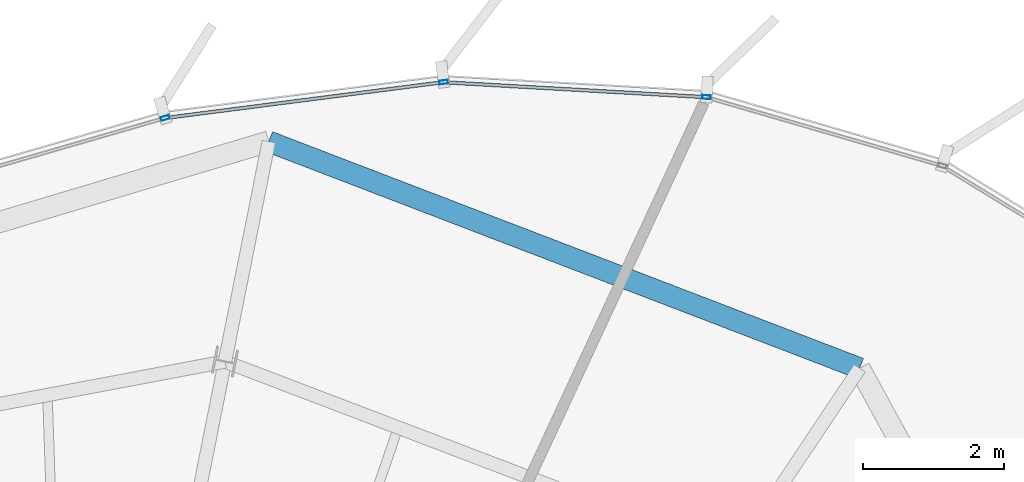
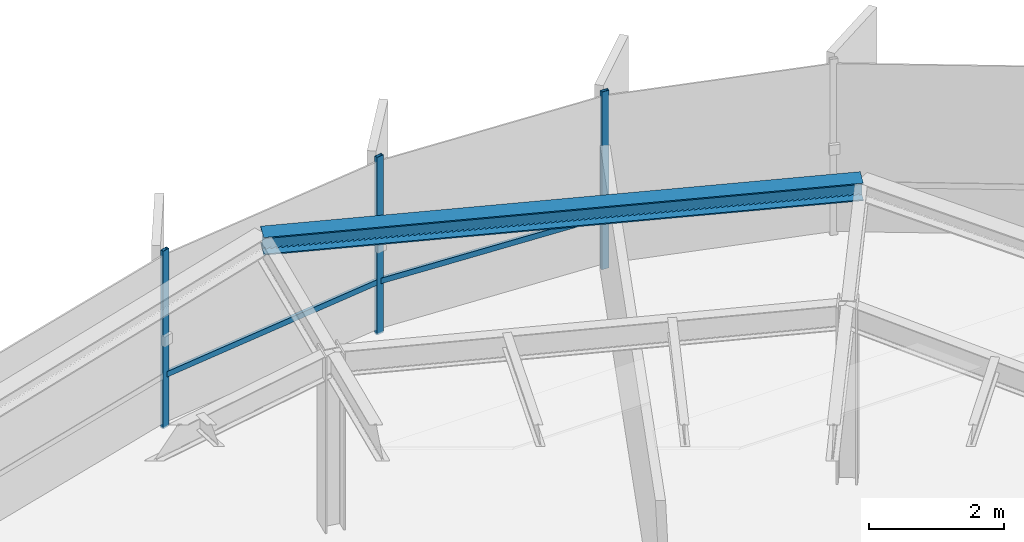
# One storey, part 22 of 33: 5 members, 1 beam, 1 element without a shape of its own.
"""IFC4 building model written with IfcOpenShell, lengths in metres."""

from ifc_helpers import new_model, si_unit, direction, frame, origin, origin_2d, place, context, subcontext, project, spatial, hollow_rectangle, i_section, extrude, source, transform, mapped, material, layer, layer_set, material_profile, profile_set, type_object, element, aggregate, save


model = new_model("IFC4")

# Units and contexts
model_context = context("Model", 3, precision=1e-05, world=origin(), true_north=direction((0.0, 1.0)))
body_context = subcontext(model_context, "Body", "Model", "MODEL_VIEW")
ifc_project = project(units=[si_unit("LENGTHUNIT", "METRE"), si_unit("AREAUNIT", "SQUARE_METRE"), si_unit("VOLUMEUNIT", "CUBIC_METRE"), si_unit("PLANEANGLEUNIT", "RADIAN"), si_unit("MASSUNIT", "GRAM", prefix="KILO"), si_unit("THERMODYNAMICTEMPERATUREUNIT", "KELVIN")], contexts=[model_context])

# Site, building, storey
site_placement = place(None, origin())
site = spatial("IfcSite", under=ifc_project, at=site_placement, CompositionType="ELEMENT")
building_placement = place(site_placement, origin())
building = spatial("IfcBuilding", under=site, at=building_placement, Name="Kethvar Cultural Tower", CompositionType="ELEMENT")
storey_placement = place(building_placement, frame((0.0, 0.0, 238.75)))
storey = spatial("IfcBuildingStorey", under=building, at=storey_placement, Name="L62", CompositionType="ELEMENT", Elevation=238.75)

# Beam
ifc_material_1 = material(Name="Steel S355J2", Category="steel")
ifc_material_profile_1 = material_profile(ifc_material_1, i_section(OverallWidth=0.300048828125, OverallDepth=0.320068359375, WebThickness=0.011474609375, FlangeThickness=0.0205078125, FilletRadius=0.027099609375, at=origin_2d()), Name="Steel S355J2 — HEB320")
ifc_profile_set_1 = profile_set([ifc_material_profile_1], Name="Steel S355J2 — HEB320")
beam_type = type_object("IfcBeamType", Name="BM-SP320", PredefinedType="SPANDREL", material=ifc_profile_set_1)
shared_shape_1 = source(origin(), body_context, "Body", "SweptSolid", [
    extrude(i_section(OverallWidth=0.300048828125, OverallDepth=0.320068359375, WebThickness=0.011474609375, FlangeThickness=0.0205078125, FilletRadius=0.027099609375, at=origin_2d()), origin(), (0.0, 0.0, 1.0), 8.982666015625),
])
beam_placement = place(storey_placement, frame((59.653076171875, 47.035888671875, 3.048095703125), z_axis=(-0.933648583644, 0.358190343615, 0.0), x_axis=(-0.358190343615, -0.933648583644, 0.0)))
element("IfcBeam", 1, at=beam_placement, inside=storey, type_object=beam_type, Name="L62 Perimeter Spandrel Beam SP-03", PredefinedType="SPANDREL", context=body_context, shape_type="MappedRepresentation", body=[
    mapped(shared_shape_1, transform((0.0, 0.0, 0.0), scale=1.0)),
])

# Curtain wall, members
ifc_material_2 = material(Name="Aluminium 6063-T6", Category="aluminium")
ifc_layer = layer(ifc_material_2, 0.179931640625, Name="Aluminium 6063-T6", Category="aluminium")
ifc_layer_set = layer_set([ifc_layer], Name="Aluminium 6063-T6 (180 mm)")
curtain_wall_type = type_object("IfcCurtainWallType", Name="CW-SYS-05-Z56", PredefinedType="NOTDEFINED", material=ifc_layer_set)
curtain_wall_placement = place(storey_placement, origin())
curtain_wall = element("IfcCurtainWall", 2, at=curtain_wall_placement, inside=storey, type_object=curtain_wall_type, Name="L62 Curtain Wall Run 01", PredefinedType="NOTDEFINED")
ifc_material_profile_2 = material_profile(ifc_material_2, hollow_rectangle(XDim=0.054931640625, YDim=0.1201171875, WallThickness=0.00390625, at=origin_2d()), Name="Aluminium 6063-T6 — RHS120x55x4")
ifc_profile_set_2 = profile_set([ifc_material_profile_2], Name="Aluminium 6063-T6 — RHS120x55x4")
member_type_1 = type_object("IfcMemberType", Name="CW-SYS-05-Z56-MUL", PredefinedType="MULLION", material=ifc_profile_set_2)
shared_shape_2 = source(origin(), body_context, "Body", "SweptSolid", [
    extrude(hollow_rectangle(XDim=0.054931640625, YDim=0.1201171875, WallThickness=0.00390625, at=origin_2d()), origin(), (0.0, 0.0, 1.0), 3.2099609375),
])
member_1_placement = place(storey_placement, frame((57.4794921875, 50.8837890625, 0.0), z_axis=(0.0, 0.0, 1.0), x_axis=(-0.056588235921, -0.998397601938, 0.0)))
member_1 = element("IfcMember", 3, at=member_1_placement, type_object=member_type_1, Name="CW-L62-R01 Mullion 3", PredefinedType="MULLION", context=body_context, shape_type="MappedRepresentation", body=[
    mapped(shared_shape_2, transform((0.0, 0.0, 0.0), scale=1.0)),
])
member_2_placement = place(storey_placement, frame((53.75, 51.096923828125, 0.0), z_axis=(0.0, 0.0, 1.0), x_axis=(0.127722429914, -0.991809952005, 0.0)))
member_2 = element("IfcMember", 4, at=member_2_placement, type_object=member_type_1, Name="CW-L62-R01 Mullion 4", PredefinedType="MULLION", context=body_context, shape_type="MappedRepresentation", body=[
    mapped(shared_shape_2, transform((0.0, 0.0, 0.0), scale=1.0)),
])
member_3_placement = place(storey_placement, frame((49.796142578125, 50.5888671875, 0.0), z_axis=(0.0, 0.0, 1.0), x_axis=(0.277717079193, -0.960662908582, 0.0)))
member_3 = element("IfcMember", 5, at=member_3_placement, type_object=member_type_1, Name="CW-L62-R01 Mullion 5", PredefinedType="MULLION", context=body_context, shape_type="MappedRepresentation", body=[
    mapped(shared_shape_2, transform((0.0, 0.0, 0.0), scale=1.0)),
])
ifc_material_profile_3 = material_profile(ifc_material_2, hollow_rectangle(XDim=0.050048828125, YDim=0.10009765625, WallThickness=0.00390625, at=origin_2d()), Name="Aluminium 6063-T6 — RHS100x50x4")
ifc_profile_set_3 = profile_set([ifc_material_profile_3], Name="Aluminium 6063-T6 — RHS100x50x4")
member_type_2 = type_object("IfcMemberType", Name="CW-SYS-05-Z56-TRN", PredefinedType="USERDEFINED", material=ifc_profile_set_3)
shared_shape_3 = source(origin(), body_context, "Body", "SweptSolid", [
    extrude(hollow_rectangle(XDim=0.050048828125, YDim=0.10009765625, WallThickness=0.00390625, at=origin_2d()), origin(), (0.0, 0.0, 1.0), 3.674560546875),
])
member_4_placement = place(storey_placement, frame((57.43994140625, 50.885986328125, 0.949951171875), z_axis=(-0.998396536495, 0.056607030618, 0.0), x_axis=(-0.056607030618, -0.998396536495, 0.0)))
member_4 = element("IfcMember", 6, at=member_4_placement, type_object=member_type_2, Name="CW-L62-R01 Transom 3", ObjectType="TRANSOM", PredefinedType="USERDEFINED", context=body_context, shape_type="MappedRepresentation", body=[
    mapped(shared_shape_3, transform((0.0, 0.0, 0.0), scale=1.0)),
])
shared_shape_4 = source(origin(), body_context, "Body", "SweptSolid", [
    extrude(hollow_rectangle(XDim=0.050048828125, YDim=0.10009765625, WallThickness=0.00390625, at=origin_2d()), origin(), (0.0, 0.0, 1.0), 3.922607421875),
])
member_5_placement = place(storey_placement, frame((53.710693359375, 51.091796875, 0.949951171875), z_axis=(-0.991810452019, -0.127718547069, 0.0), x_axis=(0.127718547069, -0.991810452019, 0.0)))
member_5 = element("IfcMember", 7, at=member_5_placement, type_object=member_type_2, Name="CW-L62-R01 Transom 4", ObjectType="TRANSOM", PredefinedType="USERDEFINED", context=body_context, shape_type="MappedRepresentation", body=[
    mapped(shared_shape_4, transform((0.0, 0.0, 0.0), scale=1.0)),
])
aggregate(curtain_wall, [member_1, member_2, member_3, member_4, member_5])

save(model, "model.ifc")
